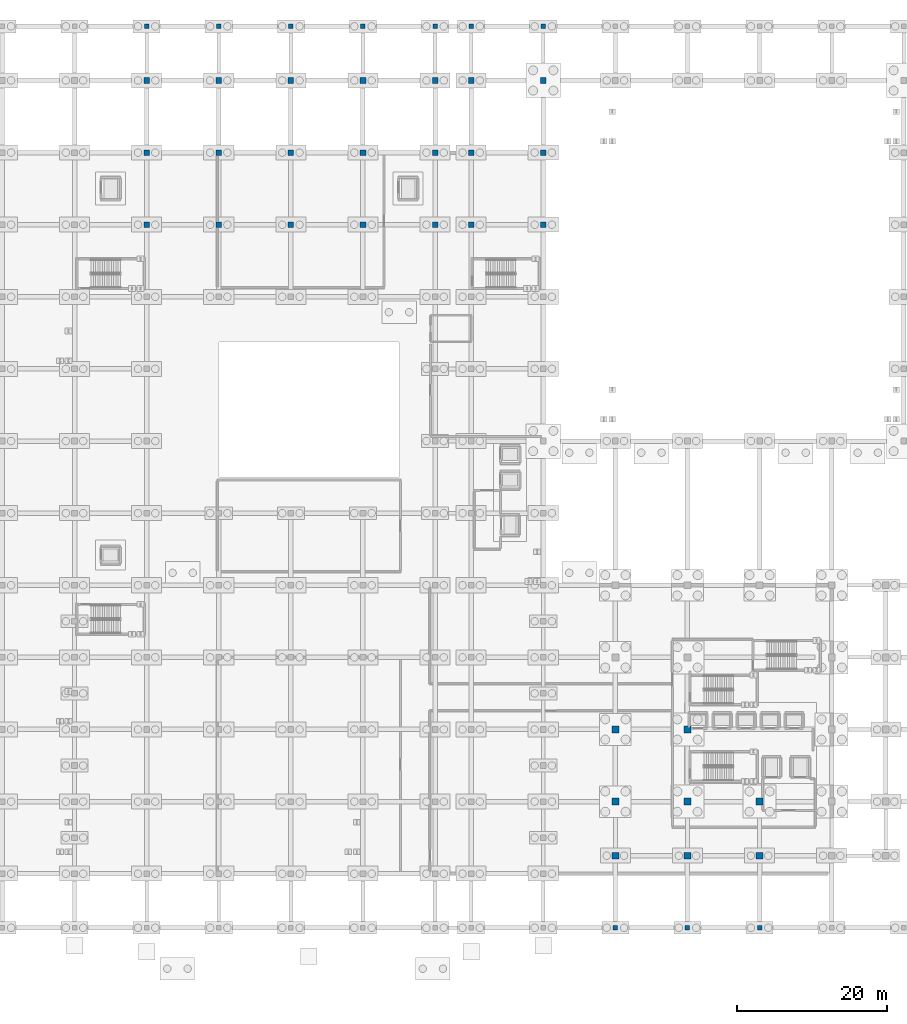
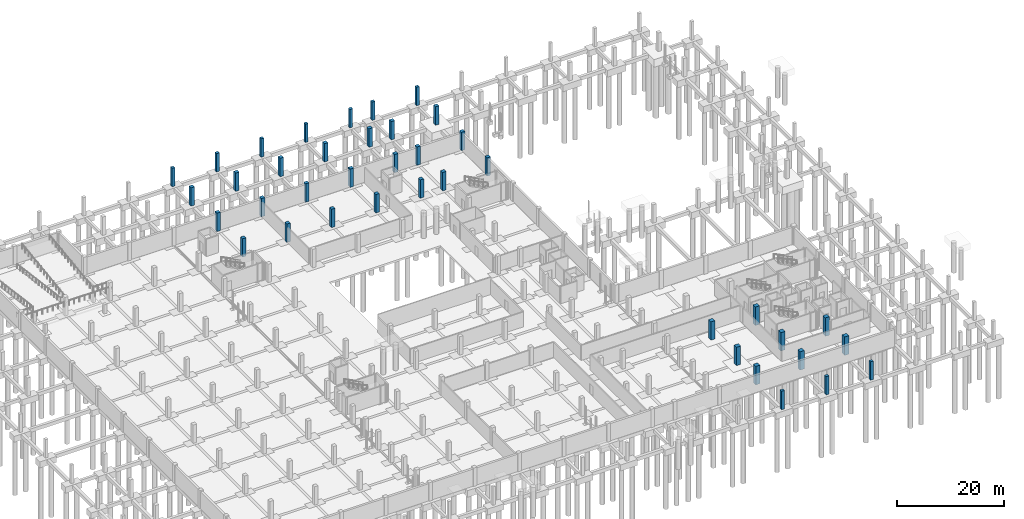
# One storey, part 28 of 54: 39 columns.
"""IFC4 building model written with IfcOpenShell, lengths in metres."""

from ifc_helpers import new_model, si_unit, direction, frame, origin, origin_2d, place, context, subcontext, project, spatial, rectangle, extrude, material, material_profile, profile_set, type_object, element, save


model = new_model("IFC4")

# Units and contexts
model_context = context("Model", 3, precision=1e-05, world=origin(), true_north=direction((0.0, 1.0)))
body_context = subcontext(model_context, "Body", "Model", "MODEL_VIEW")
ifc_project = project(units=[si_unit("LENGTHUNIT", "METRE"), si_unit("AREAUNIT", "SQUARE_METRE"), si_unit("VOLUMEUNIT", "CUBIC_METRE"), si_unit("PLANEANGLEUNIT", "RADIAN"), si_unit("MASSUNIT", "GRAM", prefix="KILO")], contexts=[model_context])

# Site, building, storey
site_placement = place(None, origin())
site = spatial("IfcSite", under=ifc_project, at=site_placement, CompositionType="ELEMENT")
building_placement = place(site_placement, origin())
building = spatial("IfcBuilding", under=site, at=building_placement, Name="Zevrakil Square Congress Hotel", CompositionType="ELEMENT")
storey_placement = place(building_placement, frame((0.0, 0.0, -8.39990234375)))
storey = spatial("IfcBuildingStorey", under=building, at=storey_placement, Name="B2", CompositionType="ELEMENT", Elevation=-8.39990234375)

# Columns
ifc_material_1 = material(Name="Concrete C40/50", Category="concrete")
ifc_material_profile_1 = material_profile(ifc_material_1, rectangle(XDim=0.60009765625, YDim=0.60009765625, at=origin_2d()), Name="RC 600x600")
ifc_profile_set_1 = profile_set([ifc_material_profile_1], Name="Concrete C40/50")
column_type_1 = type_object("IfcColumnType", Name="COL-RC600", PredefinedType="COLUMN", material=ifc_profile_set_1)
for number, where, z_axis, x_axis, name in (
    (1, (64.800048828125, 120.0, 0.0), (0.0, 0.0, 1.0), (1.0, 0.0, 0.0), "B2 column C-112"),
    (2, (74.39990234375, 120.0, 0.0), (0.0, 0.0, 1.0), (1.0, 0.0, 0.0), "B2 column C-124"),
    (3, (84.0, 120.0, 0.0), (0.0, 0.0, 1.0), (1.0, 0.0, 0.0), "B2 column C-136"),
    (4, (93.60009765625, 120.0, 0.0), (0.0, 0.0, 1.0), (1.0, 0.0, 0.0), "B2 column C-148"),
    (5, (103.199951171875, 120.0, 0.0), (0.0, 0.0, 1.0), (1.0, 0.0, 0.0), "B2 column C-162"),
    (6, (108.0, 120.0, 0.0), (0.0, 0.0, 1.0), (1.0, 0.0, 0.0), "B2 column C-176"),
    (7, (117.60009765625, 120.0, 0.0), (0.0, 0.0, 1.0), (1.0, 0.0, 0.0), "B2 column C-194"),
    (8, (127.199951171875, 0.0, 0.0), (0.0, 0.0, 1.0), (1.0, 0.0, 0.0), "B2 column C-195"),
    (9, (136.800048828125, 0.0, 0.0), (0.0, 0.0, 1.0), (1.0, 0.0, 0.0), "B2 column C-204"),
    (10, (146.39990234375, 0.0, 0.0), (0.0, 0.0, 1.0), (1.0, 0.0, 0.0), "B2 column C-213"),
):
    element("IfcColumn", number, at=place(storey_placement, frame(where, z_axis=z_axis, x_axis=x_axis)), inside=storey, type_object=column_type_1, Name=name, PredefinedType="COLUMN", context=body_context, shape_type="SweptSolid", body=[
        extrude(rectangle(XDim=0.60009765625, YDim=0.60009765625, at=origin_2d()), origin(), (0.0, 0.0, 1.0), 4.199951171875),
    ])
ifc_material_2 = material(Name="Concrete C40/50", Category="concrete")
ifc_material_profile_2 = material_profile(ifc_material_2, rectangle(XDim=0.75, YDim=0.75, at=origin_2d()), Name="RC 750x750")
ifc_profile_set_2 = profile_set([ifc_material_profile_2], Name="Concrete C40/50")
column_type_2 = type_object("IfcColumnType", Name="COL-RC750", PredefinedType="COLUMN", material=ifc_profile_set_2)
for number, where, z_axis, x_axis, name in (
    (11, (64.800048828125, 93.60009765625, 0.0), (0.0, 0.0, 1.0), (1.0, 0.0, 0.0), "B2 column C-109"),
    (12, (64.800048828125, 103.199951171875, 0.0), (0.0, 0.0, 1.0), (1.0, 0.0, 0.0), "B2 column C-110"),
    (13, (64.800048828125, 112.800048828125, 0.0), (0.0, 0.0, 1.0), (1.0, 0.0, 0.0), "B2 column C-111"),
    (14, (74.39990234375, 93.60009765625, 0.0), (0.0, 0.0, 1.0), (1.0, 0.0, 0.0), "B2 column C-121"),
    (15, (74.39990234375, 103.199951171875, 0.0), (0.0, 0.0, 1.0), (1.0, 0.0, 0.0), "B2 column C-122"),
    (16, (74.39990234375, 112.800048828125, 0.0), (0.0, 0.0, 1.0), (1.0, 0.0, 0.0), "B2 column C-123"),
    (17, (84.0, 93.60009765625, 0.0), (0.0, 0.0, 1.0), (1.0, 0.0, 0.0), "B2 column C-133"),
    (18, (84.0, 103.199951171875, 0.0), (0.0, 0.0, 1.0), (1.0, 0.0, 0.0), "B2 column C-134"),
    (19, (84.0, 112.800048828125, 0.0), (0.0, 0.0, 1.0), (1.0, 0.0, 0.0), "B2 column C-135"),
    (20, (93.60009765625, 93.60009765625, 0.0), (0.0, 0.0, 1.0), (1.0, 0.0, 0.0), "B2 column C-145"),
    (21, (93.60009765625, 103.199951171875, 0.0), (0.0, 0.0, 1.0), (1.0, 0.0, 0.0), "B2 column C-146"),
    (22, (93.60009765625, 112.800048828125, 0.0), (0.0, 0.0, 1.0), (1.0, 0.0, 0.0), "B2 column C-147"),
    (23, (103.199951171875, 93.60009765625, 0.0), (0.0, 0.0, 1.0), (1.0, 0.0, 0.0), "B2 column C-159"),
    (24, (103.199951171875, 103.199951171875, 0.0), (0.0, 0.0, 1.0), (1.0, 0.0, 0.0), "B2 column C-160"),
    (25, (103.199951171875, 112.800048828125, 0.0), (0.0, 0.0, 1.0), (1.0, 0.0, 0.0), "B2 column C-161"),
    (26, (108.0, 93.60009765625, 0.0), (0.0, 0.0, 1.0), (1.0, 0.0, 0.0), "B2 column C-173"),
    (27, (108.0, 103.199951171875, 0.0), (0.0, 0.0, 1.0), (1.0, 0.0, 0.0), "B2 column C-174"),
    (28, (108.0, 112.800048828125, 0.0), (0.0, 0.0, 1.0), (1.0, 0.0, 0.0), "B2 column C-175"),
    (29, (117.60009765625, 93.60009765625, 0.0), (0.0, 0.0, 1.0), (1.0, 0.0, 0.0), "B2 column C-191"),
    (30, (117.60009765625, 103.199951171875, 0.0), (0.0, 0.0, 1.0), (1.0, 0.0, 0.0), "B2 column C-192"),
    (31, (117.60009765625, 112.800048828125, 0.0), (0.0, 0.0, 1.0), (1.0, 0.0, 0.0), "B2 column C-193"),
):
    element("IfcColumn", number, at=place(storey_placement, frame(where, z_axis=z_axis, x_axis=x_axis)), inside=storey, type_object=column_type_2, Name=name, PredefinedType="COLUMN", context=body_context, shape_type="SweptSolid", body=[
        extrude(rectangle(XDim=0.75, YDim=0.75, at=origin_2d()), origin(), (0.0, 0.0, 1.0), 4.199951171875),
    ])
ifc_material_3 = material(Name="Concrete C40/50", Category="concrete")
ifc_material_profile_3 = material_profile(ifc_material_3, rectangle(XDim=0.89990234375, YDim=0.89990234375, at=origin_2d()), Name="RC 900x900")
ifc_profile_set_3 = profile_set([ifc_material_profile_3], Name="Concrete C40/50")
column_type_3 = type_object("IfcColumnType", Name="COL-RC900", PredefinedType="COLUMN", material=ifc_profile_set_3)
for number, where, z_axis, x_axis, name in (
    (32, (127.199951171875, 9.60009765625, 0.0), (0.0, 0.0, 1.0), (1.0, 0.0, 0.0), "B2 column C-196"),
    (33, (127.199951171875, 16.800048828125, 0.0), (0.0, 0.0, 1.0), (1.0, 0.0, 0.0), "B2 column C-197"),
    (34, (127.199951171875, 26.39990234375, 0.0), (0.0, 0.0, 1.0), (1.0, 0.0, 0.0), "B2 column C-198"),
    (35, (136.800048828125, 9.60009765625, 0.0), (0.0, 0.0, 1.0), (1.0, 0.0, 0.0), "B2 column C-205"),
    (36, (136.800048828125, 16.800048828125, 0.0), (0.0, 0.0, 1.0), (1.0, 0.0, 0.0), "B2 column C-206"),
    (37, (136.800048828125, 26.39990234375, 0.0), (0.0, 0.0, 1.0), (1.0, 0.0, 0.0), "B2 column C-207"),
    (38, (146.39990234375, 9.60009765625, 0.0), (0.0, 0.0, 1.0), (1.0, 0.0, 0.0), "B2 column C-214"),
    (39, (146.39990234375, 16.800048828125, 0.0), (0.0, 0.0, 1.0), (1.0, 0.0, 0.0), "B2 column C-215"),
):
    element("IfcColumn", number, at=place(storey_placement, frame(where, z_axis=z_axis, x_axis=x_axis)), inside=storey, type_object=column_type_3, Name=name, PredefinedType="COLUMN", context=body_context, shape_type="SweptSolid", body=[
        extrude(rectangle(XDim=0.89990234375, YDim=0.89990234375, at=origin_2d()), origin(), (0.0, 0.0, 1.0), 4.199951171875),
    ])

save(model, "model.ifc")
